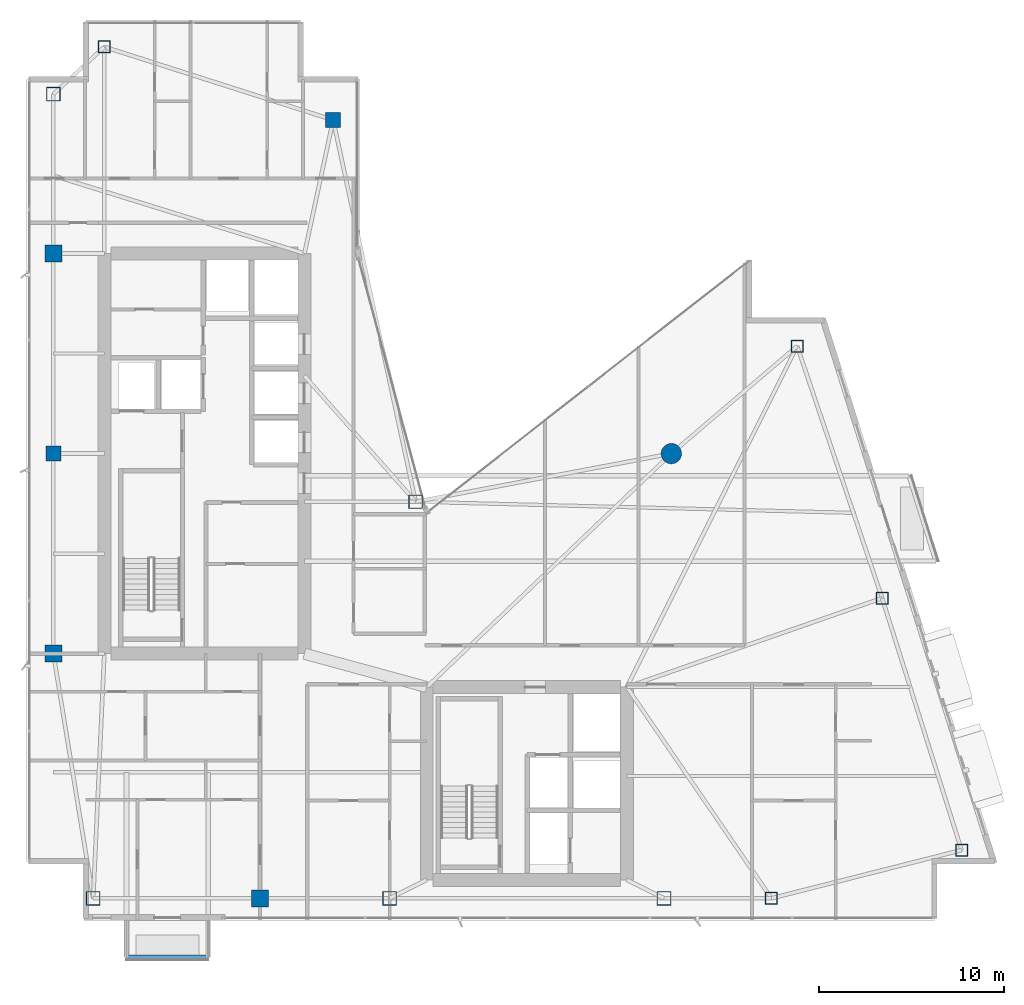
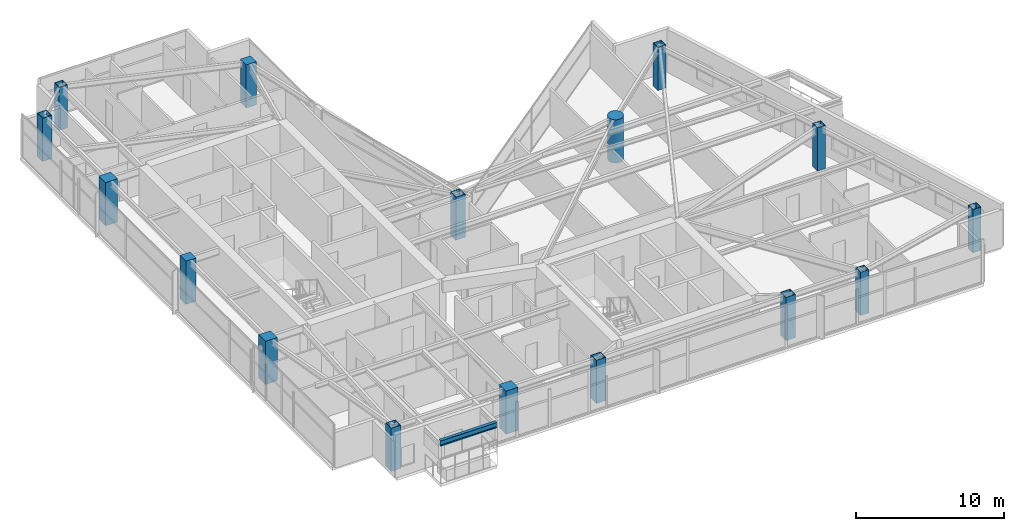
# One storey, part 1 of 30: 16 columns, 1 beam.
"""IFC4 building model written with IfcOpenShell, lengths in metres."""

from ifc_helpers import new_model, si_unit, direction, frame, origin, origin_2d, place, context, subcontext, project, spatial, rectangle, hollow_rectangle, circle, i_section, extrude, material, material_profile, profile_set, type_object, element, save


model = new_model("IFC4")

# Units and contexts
model_context = context("Model", 3, precision=1e-05, world=origin(), true_north=direction((0.0, 1.0)))
body_context = subcontext(model_context, "Body", "Model", "MODEL_VIEW")
ifc_project = project(units=[si_unit("LENGTHUNIT", "METRE"), si_unit("AREAUNIT", "SQUARE_METRE"), si_unit("VOLUMEUNIT", "CUBIC_METRE"), si_unit("PLANEANGLEUNIT", "RADIAN"), si_unit("MASSUNIT", "GRAM", prefix="KILO")], contexts=[model_context])

# Site, building, storey
site_placement = place(None, origin())
site = spatial("IfcSite", under=ifc_project, at=site_placement, CompositionType="ELEMENT")
building_placement = place(site_placement, origin())
building = spatial("IfcBuilding", under=site, at=building_placement, Name="Calvorn Quay Hotel", CompositionType="ELEMENT")
storey_placement = place(building_placement, frame((0.0, 0.0, 207.199951171875)))
storey = spatial("IfcBuildingStorey", under=building, at=storey_placement, Name="L51", CompositionType="ELEMENT", Elevation=207.199951171875)

# Columns
ifc_material_1 = material(Name="Concrete C45", Category="concrete")
ifc_material_profile_1 = material_profile(ifc_material_1, rectangle(XDim=0.800048828125, YDim=0.800048828125, at=origin_2d()), Name="RC800x800")
ifc_profile_set_1 = profile_set([ifc_material_profile_1], Name="Concrete C45")
column_type_1 = type_object("IfcColumnType", Name="COL-RC-800", PredefinedType="COLUMN", material=ifc_profile_set_1)
for number, where, z_axis, x_axis, name in (
    (1, (1.449951171875, 27.60009765625, 0.0), (0.0, 0.0, 1.0), (1.0, 0.0, 0.0), "Column C-W3 (L51)"),
    (2, (16.550048828125, 45.60009765625, 0.0), (0.0, 0.0, 1.0), (1.0, 0.0, 0.0), "Column C-IC1 (L51)"),
):
    element("IfcColumn", number, at=place(storey_placement, frame(where, z_axis=z_axis, x_axis=x_axis)), inside=storey, type_object=column_type_1, Name=name, PredefinedType="COLUMN", context=body_context, shape_type="SweptSolid", body=[
        extrude(rectangle(XDim=0.800048828125, YDim=0.800048828125, at=origin_2d()), origin(), (0.0, 0.0, 1.0), 3.56005859375),
    ])
ifc_material_2 = material(Name="Concrete C45", Category="concrete")
ifc_material_profile_2 = material_profile(ifc_material_2, rectangle(XDim=0.919921875, YDim=0.919921875, at=origin_2d()), Name="RC920x920")
ifc_profile_set_2 = profile_set([ifc_material_profile_2], Name="Concrete C45")
column_type_2 = type_object("IfcColumnType", Name="COL-RC-920", PredefinedType="COLUMN", material=ifc_profile_set_2)
for number, where, z_axis, x_axis, name in (
    (3, (1.449951171875, 16.800048828125, 0.0), (0.0, 0.0, 1.0), (1.0, 0.0, 0.0), "Column C-W2 (L51)"),
    (4, (1.449951171875, 38.39990234375, 0.0), (0.0, 0.0, 1.0), (1.0, 0.0, 0.0), "Column C-W4 (L51)"),
    (5, (12.60009765625, 3.60009765625, 0.0), (0.0, 0.0, 1.0), (1.0, 0.0, 0.0), "Column C-S1 (L51)"),
):
    element("IfcColumn", number, at=place(storey_placement, frame(where, z_axis=z_axis, x_axis=x_axis)), inside=storey, type_object=column_type_2, Name=name, PredefinedType="COLUMN", context=body_context, shape_type="SweptSolid", body=[
        extrude(rectangle(XDim=0.919921875, YDim=0.919921875, at=origin_2d()), origin(), (0.0, 0.0, 1.0), 3.56005859375),
    ])
ifc_material_3 = material(Name="Concrete C50", Category="concrete")
ifc_material_profile_3 = material_profile(ifc_material_3, circle(Radius=0.550048828125, at=origin_2d()), Name="RCD1100")
ifc_profile_set_3 = profile_set([ifc_material_profile_3], Name="Concrete C50")
column_type_3 = type_object("IfcColumnType", Name="COL-RC-D1100", PredefinedType="COLUMN", material=ifc_profile_set_3)
column_placement = place(storey_placement, frame((34.800048828125, 27.60009765625, 0.0), z_axis=(0.0, 0.0, 1.0), x_axis=(1.0, 0.0, 0.0)))
element("IfcColumn", 6, at=column_placement, inside=storey, type_object=column_type_3, Name="Column C-NC1 (L51)", PredefinedType="COLUMN", context=body_context, shape_type="SweptSolid", body=[
    extrude(circle(Radius=0.550048828125, at=origin_2d()), origin(), (0.0, 0.0, 1.0), 3.56005859375),
])
ifc_material_4 = material(Name="Steel Q390GJC", Category="steel")
ifc_material_profile_4 = material_profile(ifc_material_4, hollow_rectangle(XDim=0.75, YDim=0.75, WallThickness=0.031982421875, at=origin_2d()), Name="BOX750x750x32")
ifc_profile_set_4 = profile_set([ifc_material_profile_4], Name="Steel Q390GJC")
column_type_4 = type_object("IfcColumnType", Name="COL-STL-Z3", PredefinedType="COLUMN", material=ifc_profile_set_4)
for number, where, z_axis, x_axis, name in (
    (7, (3.60009765625, 3.60009765625, 0.0), (0.0, 0.0, 1.0), (1.0, 0.0, 0.0), "Column C-W1 (L51)"),
    (8, (1.449951171875, 47.0, 0.0), (0.0, 0.0, 1.0), (1.0, 0.0, 0.0), "Column C-W5 (L51)"),
    (9, (21.0, 25.0, 0.0), (0.0, 0.0, 1.0), (1.0, 0.0, 0.0), "Column C-IC2 (L51)"),
    (10, (19.60009765625, 3.60009765625, 0.0), (0.0, 0.0, 1.0), (1.0, 0.0, 0.0), "Column C-S2 (L51)"),
    (11, (34.39990234375, 3.60009765625, 0.0), (0.0, 0.0, 1.0), (1.0, 0.0, 0.0), "Column C-S3 (L51)"),
):
    element("IfcColumn", number, at=place(storey_placement, frame(where, z_axis=z_axis, x_axis=x_axis)), inside=storey, type_object=column_type_4, Name=name, PredefinedType="COLUMN", context=body_context, shape_type="SweptSolid", body=[
        extrude(hollow_rectangle(XDim=0.75, YDim=0.75, WallThickness=0.031982421875, at=origin_2d()), origin(), (0.0, 0.0, 1.0), 3.56005859375),
    ])
ifc_material_5 = material(Name="Steel Q355B", Category="steel")
ifc_material_profile_5 = material_profile(ifc_material_5, hollow_rectangle(XDim=0.64990234375, YDim=0.64990234375, WallThickness=0.028076171875, at=origin_2d()), Name="BOX650x650x28")
ifc_profile_set_5 = profile_set([ifc_material_profile_5], Name="Steel Q355B")
column_type_5 = type_object("IfcColumnType", Name="COL-STL-Z4", PredefinedType="COLUMN", material=ifc_profile_set_5)
for number, where, z_axis, x_axis, name in (
    (12, (4.199951171875, 49.550048828125, 0.0), (0.0, 0.0, 1.0), (1.0, 0.0, 0.0), "Column C-NW1 (L51)"),
    (13, (40.199951171875, 3.60009765625, 0.0), (0.0, 0.0, 1.0), (1.0, 0.0, 0.0), "Column C-S4 (L51)"),
    (14, (50.4609375, 6.199951171875, 0.0), (0.0, 0.0, 1.0), (1.0, 0.0, 0.0), "Column C-ET1 (L51)"),
    (15, (46.176025390625, 19.800048828125, 0.0), (0.0, 0.0, 1.0), (1.0, 0.0, 0.0), "Column C-ET2 (L51)"),
    (16, (41.591064453125, 33.39990234375, 0.0), (0.0, 0.0, 1.0), (1.0, 0.0, 0.0), "Column C-ET3 (L51)"),
):
    element("IfcColumn", number, at=place(storey_placement, frame(where, z_axis=z_axis, x_axis=x_axis)), inside=storey, type_object=column_type_5, Name=name, PredefinedType="COLUMN", context=body_context, shape_type="SweptSolid", body=[
        extrude(hollow_rectangle(XDim=0.64990234375, YDim=0.64990234375, WallThickness=0.028076171875, at=origin_2d()), origin(), (0.0, 0.0, 1.0), 3.56005859375),
    ])

# Beam
ifc_material_6 = material(Name="Steel Q355B", Category="steel")
ifc_material_profile_6 = material_profile(ifc_material_6, i_section(OverallWidth=0.25, OverallDepth=0.449951171875, WebThickness=0.011962890625, FlangeThickness=0.01611328125, FilletRadius=0.01611328125, at=origin_2d()), Name="HN450x250x12x16")
ifc_profile_set_6 = profile_set([ifc_material_profile_6], Name="Steel Q355B")
beam_type = type_object("IfcBeamType", Name="BM-CANT-BALC", PredefinedType="BEAM", material=ifc_profile_set_6)
beam_placement = place(storey_placement, frame((5.39990234375, 0.409912109375, 3.31494140625), z_axis=(1.0, 0.0, 0.0), x_axis=(0.0, 1.0, 0.0)))
element("IfcBeam", 17, at=beam_placement, inside=storey, type_object=beam_type, Name="Beam BCBO-L52-2", PredefinedType="BEAM", context=body_context, shape_type="SweptSolid", body=[
    extrude(i_section(OverallWidth=0.25, OverallDepth=0.449951171875, WebThickness=0.011962890625, FlangeThickness=0.01611328125, FilletRadius=0.01611328125, at=origin_2d()), origin(), (0.0, 0.0, 1.0), 4.400146484375),
])

save(model, "model.ifc")
